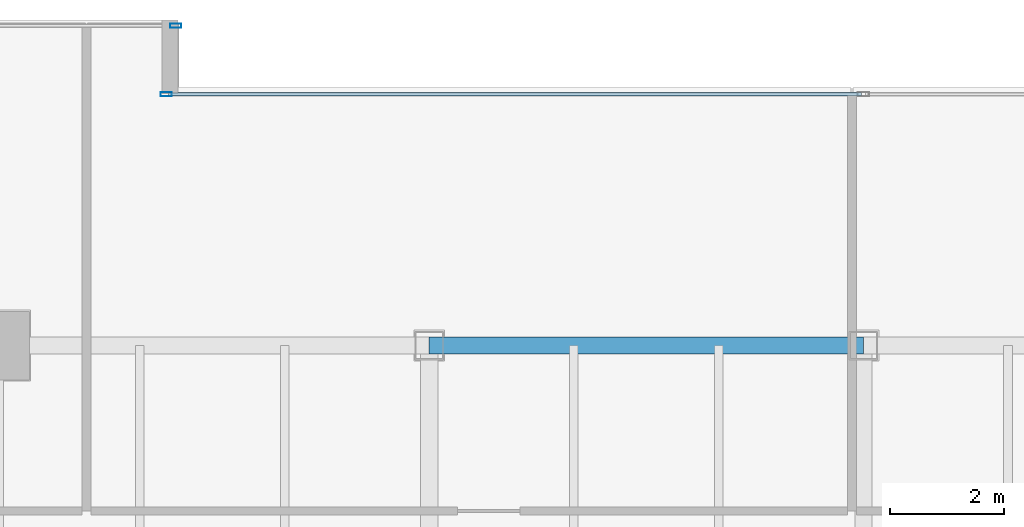
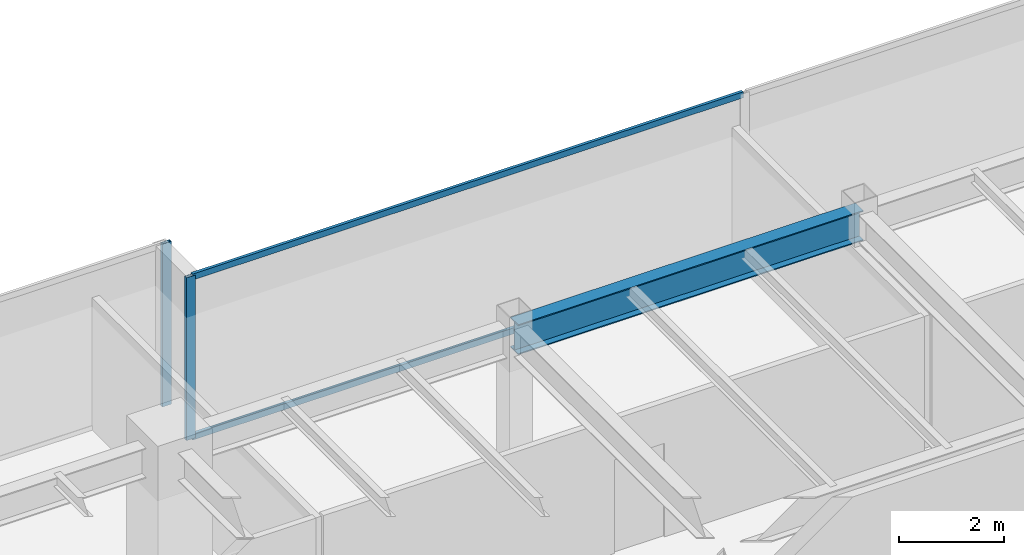
# One storey, part 16 of 33: 4 members, 1 beam, 2 elements without a shape of their own.
"""IFC4 building model written with IfcOpenShell, lengths in metres."""

from ifc_helpers import new_model, si_unit, direction, frame, origin, origin_2d, place, context, subcontext, project, spatial, hollow_rectangle, i_section, extrude, source, transform, mapped, material, layer, layer_set, material_profile, profile_set, type_object, type_shapes, element, aggregate, save


model = new_model("IFC4")

# Units and contexts
model_context = context("Model", 3, precision=1e-05, world=origin(), true_north=direction((0.0, 1.0)))
body_context = subcontext(model_context, "Body", "Model", "MODEL_VIEW")
ifc_project = project(units=[si_unit("LENGTHUNIT", "METRE"), si_unit("AREAUNIT", "SQUARE_METRE"), si_unit("VOLUMEUNIT", "CUBIC_METRE"), si_unit("PLANEANGLEUNIT", "RADIAN"), si_unit("MASSUNIT", "GRAM", prefix="KILO")], contexts=[model_context])

# Site, building, storey
site_placement = place(None, origin())
site = spatial("IfcSite", under=ifc_project, at=site_placement, CompositionType="ELEMENT")
building_placement = place(site_placement, origin())
building = spatial("IfcBuilding", under=site, at=building_placement, Name="Haelvirn Gate Laboratories", CompositionType="ELEMENT")
storey_placement = place(building_placement, frame((0.0, 0.0, 133.800048828125)))
storey = spatial("IfcBuildingStorey", under=building, at=storey_placement, Name="L32", CompositionType="ELEMENT", Elevation=133.800048828125)

# Beam
ifc_material_1 = material(Name="Steel SM355", Category="steel")
ifc_material_profile_1 = material_profile(ifc_material_1, i_section(OverallWidth=0.300048828125, OverallDepth=0.699951171875, WebThickness=0.012939453125, FlangeThickness=0.02392578125, at=origin_2d()), Name="H-700x300x13x24")
ifc_profile_set_1 = profile_set([ifc_material_profile_1], Name="Steel SM355")
beam_type = type_object("IfcBeamType", Name="BM-G-700", PredefinedType="BEAM", material=ifc_profile_set_1)
shared_shape_1 = source(origin(), body_context, "Body", "SweptSolid", [
    extrude(i_section(OverallWidth=0.300048828125, OverallDepth=0.699951171875, WebThickness=0.012939453125, FlangeThickness=0.02392578125, at=origin_2d()), origin(), (0.0, 0.0, 1.0), 7.599853515625),
])
type_shapes(beam_type, [shared_shape_1])
beam_placement = place(storey_placement, frame((29.800048828125, 41.60009765625, 3.43994140625), z_axis=(1.0, 0.0, 0.0), x_axis=(0.0, 1.0, 0.0)))
element("IfcBeam", 1, at=beam_placement, inside=storey, type_object=beam_type, Name="L32 Primary Girder Y41.6 (29.8-37.4)", PredefinedType="BEAM", context=body_context, shape_type="MappedRepresentation", body=[
    mapped(shared_shape_1, transform((0.0, 0.0, 0.0), scale=1.0)),
])

# Curtain wall, members
ifc_material_2 = material(Name="Anodised bronze unitised aluminium & triple low-E glass", Category="aluminium")
ifc_layer = layer(ifc_material_2, 0.179931640625, Name="CW-SYS-3")
ifc_layer_set = layer_set([ifc_layer], Name="Anodised bronze unitised aluminium & triple low-E glass")
curtain_wall_type = type_object("IfcCurtainWallType", Name="CW-SYS-3", PredefinedType="NOTDEFINED", material=ifc_layer_set)
curtain_wall_1_placement = place(storey_placement, origin())
curtain_wall_1 = element("IfcCurtainWall", 2, at=curtain_wall_1_placement, inside=storey, type_object=curtain_wall_type, Name="L32 Unitised Curtain Wall CW-L32-P0-E12-1", PredefinedType="NOTDEFINED")
ifc_material_3 = material(Name="Extruded aluminium 6063-T6 (anodised bronze)", Category="aluminium")
ifc_material_profile_2 = material_profile(ifc_material_3, hollow_rectangle(XDim=0.06494140625, YDim=0.139892578125, WallThickness=0.00390625, at=origin_2d()), Name="CWT-140x65x4")
ifc_profile_set_2 = profile_set([ifc_material_profile_2], Name="Extruded aluminium 6063-T6 (anodised bronze)")
member_type_1 = type_object("IfcMemberType", Name="CWT-T140", PredefinedType="USERDEFINED", material=ifc_profile_set_2)
shared_shape_2 = source(origin(), body_context, "Body", "SweptSolid", [
    extrude(hollow_rectangle(XDim=0.06494140625, YDim=0.139892578125, WallThickness=0.00390625, at=origin_2d()), origin(), (0.0, 0.0, 1.0), 12.12744140625),
])
type_shapes(member_type_1, [shared_shape_2])
member_1_placement = place(storey_placement, frame((25.235107421875, 46.0, 0.032470703125), z_axis=(1.0, 0.0, 0.0), x_axis=(0.0, 1.0, 0.0)))
member_1 = element("IfcMember", 3, at=member_1_placement, type_object=member_type_1, Name="CW3 transom 1.1", ObjectType="TRANSOM", PredefinedType="USERDEFINED", context=body_context, shape_type="MappedRepresentation", body=[
    mapped(shared_shape_2, transform((0.0, 0.0, 0.0), scale=1.0)),
])
member_2_placement = place(storey_placement, frame((25.235107421875, 46.0, 3.757568359375), z_axis=(1.0, 0.0, 0.0), x_axis=(0.0, 1.0, 0.0)))
member_2 = element("IfcMember", 4, at=member_2_placement, type_object=member_type_1, Name="CW3 transom 1.2", ObjectType="TRANSOM", PredefinedType="USERDEFINED", context=body_context, shape_type="MappedRepresentation", body=[
    mapped(shared_shape_2, transform((0.0, 0.0, 0.0), scale=1.0)),
])
ifc_material_profile_3 = material_profile(ifc_material_3, hollow_rectangle(XDim=0.074951171875, YDim=0.199951171875, WallThickness=0.0048828125, at=origin_2d()), Name="CWM-200x75x5")
ifc_profile_set_3 = profile_set([ifc_material_profile_3], Name="Extruded aluminium 6063-T6 (anodised bronze)")
member_type_2 = type_object("IfcMemberType", Name="CWM-T200", PredefinedType="MULLION", material=ifc_profile_set_3)
shared_shape_3 = source(origin(), body_context, "Body", "SweptSolid", [
    extrude(hollow_rectangle(XDim=0.074951171875, YDim=0.199951171875, WallThickness=0.0048828125, at=origin_2d()), origin(), (0.0, 0.0, 1.0), 3.7900390625),
])
type_shapes(member_type_2, [shared_shape_3])
member_3_placement = place(storey_placement, frame((25.197509765625, 46.0, 0.0), z_axis=(0.0, 0.0, 1.0), x_axis=(0.0, 1.0, 0.0)))
member_3 = element("IfcMember", 5, at=member_3_placement, type_object=member_type_2, Name="CW3 mullion 1", PredefinedType="MULLION", context=body_context, shape_type="MappedRepresentation", body=[
    mapped(shared_shape_3, transform((0.0, 0.0, 0.0), scale=1.0)),
])
aggregate(curtain_wall_1, [member_3, member_1, member_2])

# Curtain wall, member
curtain_wall_2_placement = place(storey_placement, origin())
curtain_wall_2 = element("IfcCurtainWall", 6, at=curtain_wall_2_placement, inside=storey, type_object=curtain_wall_type, Name="L32 Unitised Curtain Wall CW-L32-P0-E14-1", PredefinedType="NOTDEFINED")
member_4_placement = place(storey_placement, frame((25.362548828125, 47.199951171875, 0.0), z_axis=(0.0, 0.0, 1.0), x_axis=(0.0, 1.0, 0.0)))
member_4 = element("IfcMember", 7, at=member_4_placement, type_object=member_type_2, Name="CW3 mullion 3", PredefinedType="MULLION", context=body_context, shape_type="MappedRepresentation", body=[
    mapped(shared_shape_3, transform((0.0, 0.0, 0.0), scale=1.0)),
])
aggregate(curtain_wall_2, [member_4])

save(model, "model.ifc")
